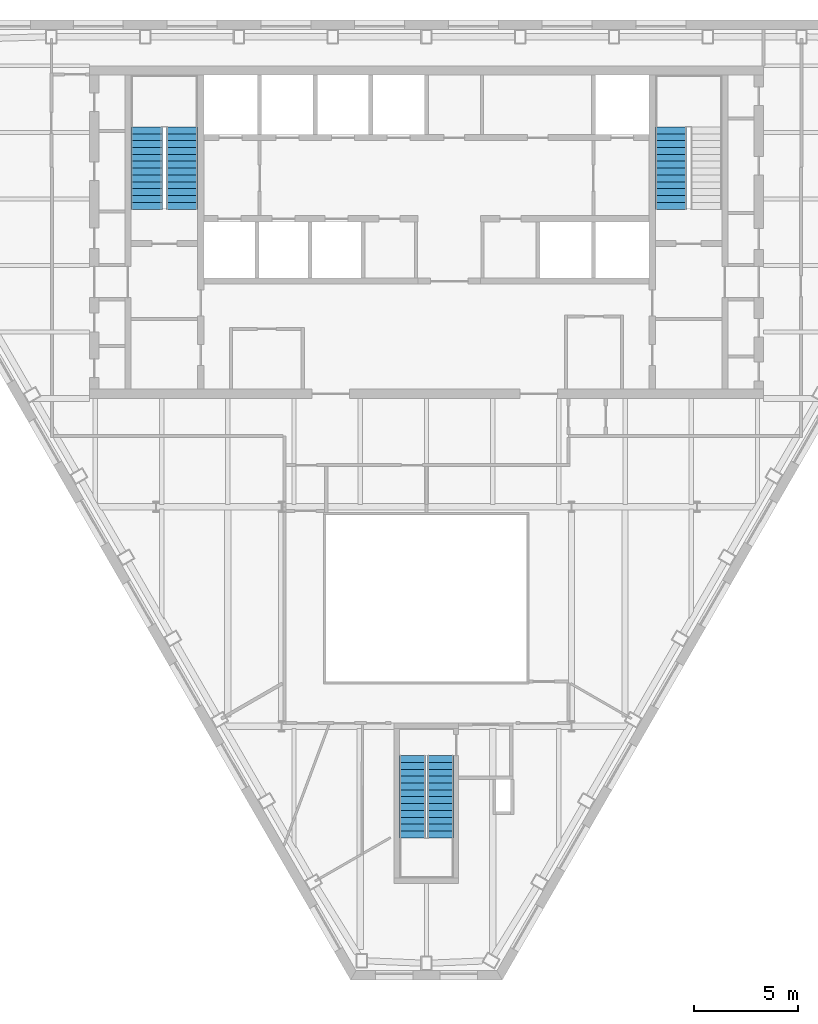
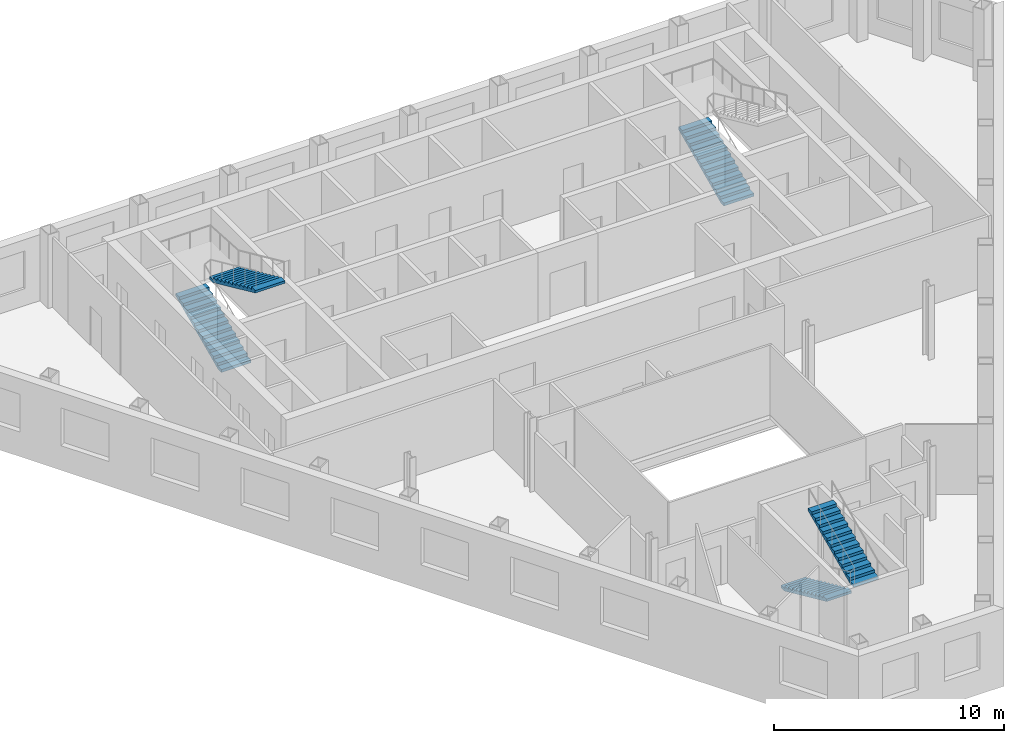
# One storey, part 9 of 11: 5 stair flights, 3 elements without a shape of their own.
"""IFC4 building model written with IfcOpenShell, lengths in metres."""

import ifcopenshell
import ifcopenshell.guid

model = None  # the IFC model being written
_history = None  # IfcOwnerHistory: only IFC2X3 demands one
_inside = {}  # id of a spatial element -> (the spatial element, [elements in it])
_under = {}  # id of a project, library or spatial element -> (it, [spatial elements below it])
_declared = {}  # id of a project -> (the project, [libraries it declares])
_typed = {}  # id of a type object -> (the type object, [elements of that type])
_made_of = {}  # id of a material, layer set ... -> (it, [elements and type objects made of it])


def new_model(schema):
    """Start an empty IFC model of exactly this schema.

    Asked for "IFC4X3", IfcOpenShell would pick the latest addendum, in which some entities
    have other attributes; the version numbers below select the first issue.
    IFC2X3 requires an IfcOwnerHistory on every rooted entity: one is made here for all.
    """
    global model, _history
    if schema == "IFC4X3":
        model = ifcopenshell.file(schema_version=(4, 3, 0, 0))
    else:
        model = ifcopenshell.file(schema=schema)
    _inside.clear()
    _under.clear()
    _declared.clear()
    _typed.clear()
    _made_of.clear()
    _history = None
    if model.schema == "IFC2X3":
        org = make("IfcOrganization", Name="unknown")
        user = make(
            "IfcPersonAndOrganization",
            ThePerson=make("IfcPerson", FamilyName="unknown"),
            TheOrganization=org,
        )
        app = make(
            "IfcApplication",
            ApplicationDeveloper=org,
            Version="unknown",
            ApplicationFullName="unknown",
            ApplicationIdentifier="unknown",
        )
        _history = make(
            "IfcOwnerHistory",
            OwningUser=user,
            OwningApplication=app,
            ChangeAction="ADDED",
            CreationDate=0,
        )
    return model


def make(cls, **values):
    """One entity of the class cls with the attributes given. An attribute that is None is left unset."""
    return model.create_entity(
        cls, **{name: value for name, value in values.items() if value is not None}
    )


def rooted(cls, **values):
    """An entity with a GlobalId (a new one), such as an element, a storey or a relation."""
    return make(cls, GlobalId=ifcopenshell.guid.new(), OwnerHistory=_history, **values)


def si_unit(unit_type, name, prefix=None):
    """IfcSIUnit, for example si_unit("LENGTHUNIT", "METRE", prefix="MILLI")."""
    return make("IfcSIUnit", UnitType=unit_type, Prefix=prefix, Name=name)


def assignment(units):
    """IfcUnitAssignment: the units of a project."""
    return None if units is None else make("IfcUnitAssignment", Units=units)


def point(xyz):
    """IfcCartesianPoint."""
    return None if xyz is None else make("IfcCartesianPoint", Coordinates=xyz)


def direction(xyz):
    """IfcDirection."""
    return None if xyz is None else make("IfcDirection", DirectionRatios=xyz)


def frame(location, z_axis=None, x_axis=None):
    """IfcAxis2Placement3D, a coordinate frame: its origin and axes. An axis left out is left unset."""
    return make(
        "IfcAxis2Placement3D",
        Location=point(location),
        Axis=direction(z_axis),
        RefDirection=direction(x_axis),
    )


def origin():
    """The frame at (0, 0, 0) with its axes left unset."""
    return frame((0.0, 0.0, 0.0))


def place(relative_to, where):
    """IfcLocalPlacement: puts the frame where relative to a parent placement (None: the world)."""
    return make(
        "IfcLocalPlacement", PlacementRelTo=relative_to, RelativePlacement=where
    )


def context(
    kind, dimensions, precision=None, world=None, true_north=None, identifier=None
):
    """IfcGeometricRepresentationContext, for example the 3D "Model" context."""
    return make(
        "IfcGeometricRepresentationContext",
        ContextIdentifier=identifier,
        ContextType=kind,
        CoordinateSpaceDimension=dimensions,
        Precision=precision,
        WorldCoordinateSystem=world,
        TrueNorth=true_north,
    )


def subcontext(parent, identifier, kind, view, scale=None):
    """IfcGeometricRepresentationSubContext, for example "Body" below "Model"."""
    return make(
        "IfcGeometricRepresentationSubContext",
        ContextIdentifier=identifier,
        ContextType=kind,
        ParentContext=parent,
        TargetScale=scale,
        TargetView=view,
    )


def project(units=None, contexts=None):
    """IfcProject with its units and contexts."""
    return rooted(
        "IfcProject",
        Name="project",
        RepresentationContexts=contexts,
        UnitsInContext=assignment(units),
    )


def spatial(cls, under=None, at=None, **own):
    """A site, building, storey or space (cls), placed at a placement, below another one or the project."""
    s = rooted(cls, ObjectPlacement=at, **own)
    if under is not None:
        _under.setdefault(under.id(), (under, []))[1].append(s)
    return s


def point_list(points):
    """IfcCartesianPointList2D or 3D."""
    cls = (
        "IfcCartesianPointList2D" if len(points[0]) == 2 else "IfcCartesianPointList3D"
    )
    return make(cls, CoordList=points)


def polygons(points, faces, closed=None, point_numbers=None):
    """IfcPolygonalFaceSet: a face is its outer loop, then its inner loops; points numbered from 1."""
    made = []
    for loops in faces:
        if len(loops) == 1:
            made.append(make("IfcIndexedPolygonalFace", CoordIndex=loops[0]))
        else:
            made.append(
                make(
                    "IfcIndexedPolygonalFaceWithVoids",
                    CoordIndex=loops[0],
                    InnerCoordIndices=loops[1:],
                )
            )
    return make(
        "IfcPolygonalFaceSet",
        Coordinates=point_list(points),
        Closed=closed,
        Faces=made,
        PnIndex=point_numbers,
    )


def shape(context_of_items, identifier, shape_type, items):
    """IfcShapeRepresentation: the items that make up one representation, for example the "Body"."""
    return make(
        "IfcShapeRepresentation",
        ContextOfItems=context_of_items,
        RepresentationIdentifier=identifier,
        RepresentationType=shape_type,
        Items=items,
    )


def material(Name=None, Category=None):
    """IfcMaterial."""
    return make("IfcMaterial", Name=Name, Category=Category)


def made_of(thing, what):
    """Note that an element or type object is made of a material, layer set ...; save() writes the relation."""
    if what is not None:
        _made_of.setdefault(what.id(), (what, []))[1].append(thing)
    return thing


def type_object(cls, material=None, **own):
    """A type object (cls), such as IfcWallType, which elements share."""
    return made_of(rooted(cls, **own), material)


def element(
    cls,
    number,
    at=None,
    inside=None,
    cuts=None,
    type_object=None,
    material=None,
    context=None,
    identifier="Body",
    shape_type=None,
    held_by="IfcProductDefinitionShape",
    body=None,
    shapes=None,
    **own,
):
    """One element of the class cls, such as IfcWall. Its Tag is "e" and its number.

    at: its placement. inside: the storey or other place that contains it. cuts: it is an
    opening in that element (IfcRelVoidsElement). A single representation is given by context,
    identifier, shape_type and body (its items); several are given by shapes. held_by: the class
    of the entity that holds the representations. save() writes the other relations.
    """
    e = rooted(cls, Tag="e%d" % number, ObjectPlacement=at, **own)
    if body is not None:
        shapes = [shape(context, identifier, shape_type, body)]
    if shapes is not None:
        e.Representation = make(held_by, Representations=shapes)
    if inside is not None:
        _inside.setdefault(inside.id(), (inside, []))[1].append(e)
    if cuts is not None:
        rooted(
            "IfcRelVoidsElement", RelatingBuildingElement=cuts, RelatedOpeningElement=e
        )
    if type_object is not None:
        _typed.setdefault(type_object.id(), (type_object, []))[1].append(e)
    return made_of(e, material)


def aggregate(whole, parts):
    """IfcRelAggregates: a whole, such as a stair, and the parts it consists of."""
    return rooted("IfcRelAggregates", RelatingObject=whole, RelatedObjects=parts)


def save(model, path):
    """Write the relations noted so far, then the file.

    IfcRelAggregates (storeys below a building ...), IfcRelContainedInSpatialStructure (elements
    in a storey), IfcRelDefinesByType, IfcRelAssociatesMaterial and IfcRelDeclares: one each for
    every whole, place, type object, material and project.
    """
    for whole, parts in _under.values():
        aggregate(whole, parts)
    for where, things in _inside.values():
        rooted(
            "IfcRelContainedInSpatialStructure",
            RelatedElements=things,
            RelatingStructure=where,
        )
    for kind, things in _typed.values():
        rooted("IfcRelDefinesByType", RelatedObjects=things, RelatingType=kind)
    for what, things in _made_of.values():
        rooted("IfcRelAssociatesMaterial", RelatedObjects=things, RelatingMaterial=what)
    for by, libraries in _declared.values():
        rooted("IfcRelDeclares", RelatingContext=by, RelatedDefinitions=libraries)
    model.write(path)


model = new_model("IFC4")

# Units and contexts
model_context = context("Model", 3, precision=1e-05, world=origin(), true_north=direction((0.0, 1.0)))
body_context = subcontext(model_context, "Body", "Model", "MODEL_VIEW")
ifc_project = project(units=[si_unit("LENGTHUNIT", "METRE"), si_unit("AREAUNIT", "SQUARE_METRE"), si_unit("VOLUMEUNIT", "CUBIC_METRE"), si_unit("PLANEANGLEUNIT", "RADIAN"), si_unit("MASSUNIT", "GRAM", prefix="KILO")], contexts=[model_context])

# Site, building, storey
site_placement = place(None, origin())
site = spatial("IfcSite", under=ifc_project, at=site_placement, CompositionType="ELEMENT")
building_placement = place(site_placement, origin())
building = spatial("IfcBuilding", under=site, at=building_placement, Name="Njiva Tower", CompositionType="ELEMENT")
storey_placement = place(building_placement, frame((0.0, 0.0, 212.1)))
storey = spatial("IfcBuildingStorey", under=building, at=storey_placement, Name="L47", CompositionType="ELEMENT", Elevation=212.1)

# Stair, stair flights
ifc_material = material(Name="Concrete C40/50", Category="concrete")
stair_type_1 = type_object("IfcStairType", Name="ST1 Exit stair 1250", PredefinedType="HALF_TURN_STAIR", material=ifc_material)
stair_1_placement = place(storey_placement, origin())
stair_1 = element("IfcStair", 1, at=stair_1_placement, inside=storey, type_object=stair_type_1, Name="Stair C", PredefinedType="HALF_TURN_STAIR")
stair_flight_type_1 = type_object("IfcStairFlightType", Name="FL1 Stair flight 1250", PredefinedType="STRAIGHT", material=ifc_material)
stair_flight_1_placement = place(storey_placement, frame((-0.675, -15.16, 0.0), z_axis=(0.0, 0.0, 1.0), x_axis=(0.0, -1.0, 0.0)))
stair_flight_1 = element("IfcStairFlight", 2, at=stair_flight_1_placement, type_object=stair_flight_type_1, Name="ST-C flight 1", NumberOfRisers=13, NumberOfTreads=12, PredefinedType="STRAIGHT", RiserHeight=0.15, TreadLength=0.33, context=body_context, shape_type="Tessellation", body=[
    polygons([(0.0, 0.625, 0.0), (0.0, 0.3125, 0.0), (0.0, 0.0, 0.0), (0.0, -0.3125, 0.0), (0.0, -0.625, 0.0), (0.0, 0.625, 0.15), (0.0, 0.3125, 0.15), (0.0, 0.0, 0.15), (0.0, -0.3125, 0.15), (0.0, -0.625, 0.15), (0.33, 0.625, 0.15), (0.33, 0.3125, 0.15), (0.33, 0.0, 0.15), (0.33, -0.3125, 0.15), (0.33, -0.625, 0.15), (0.33, 0.625, 0.3), (0.33, 0.3125, 0.3), (0.33, 0.0, 0.3), (0.33, -0.3125, 0.3), (0.33, -0.625, 0.3), (0.66, 0.625, 0.3), (0.66, 0.3125, 0.3), (0.66, 0.0, 0.3), (0.66, -0.3125, 0.3), (0.66, -0.625, 0.3), (0.66, 0.625, 0.45), (0.66, 0.3125, 0.45), (0.66, 0.0, 0.45), (0.66, -0.3125, 0.45), (0.66, -0.625, 0.45), (0.99, 0.625, 0.45), (0.99, 0.3125, 0.45), (0.99, 0.0, 0.45), (0.99, -0.3125, 0.45), (0.99, -0.625, 0.45), (0.99, 0.625, 0.6), (0.99, 0.3125, 0.6), (0.99, 0.0, 0.6), (0.99, -0.3125, 0.6), (0.99, -0.625, 0.6), (1.32, 0.625, 0.6), (1.32, 0.3125, 0.6), (1.32, 0.0, 0.6), (1.32, -0.3125, 0.6), (1.32, -0.625, 0.6), (1.32, 0.625, 0.75), (1.32, 0.3125, 0.75), (1.32, 0.0, 0.75), (1.32, -0.3125, 0.75), (1.32, -0.625, 0.75), (1.65, 0.625, 0.75), (1.65, 0.3125, 0.75), (1.65, 0.0, 0.75), (1.65, -0.3125, 0.75), (1.65, -0.625, 0.75), (1.65, 0.625, 0.9), (1.65, 0.3125, 0.9), (1.65, 0.0, 0.9), (1.65, -0.3125, 0.9), (1.65, -0.625, 0.9), (1.98, 0.625, 0.9), (1.98, 0.3125, 0.9), (1.98, 0.0, 0.9), (1.98, -0.3125, 0.9), (1.98, -0.625, 0.9), (1.98, 0.625, 1.05), (1.98, 0.3125, 1.05), (1.98, 0.0, 1.05), (1.98, -0.3125, 1.05), (1.98, -0.625, 1.05), (2.31, 0.625, 1.05), (2.31, 0.3125, 1.05), (2.31, 0.0, 1.05), (2.31, -0.3125, 1.05), (2.31, -0.625, 1.05), (2.31, 0.625, 1.2), (2.31, 0.3125, 1.2), (2.31, 0.0, 1.2), (2.31, -0.3125, 1.2), (2.31, -0.625, 1.2), (2.64, 0.625, 1.2), (2.64, 0.3125, 1.2), (2.64, 0.0, 1.2), (2.64, -0.3125, 1.2), (2.64, -0.625, 1.2), (2.64, 0.625, 1.35), (2.64, 0.3125, 1.35), (2.64, 0.0, 1.35), (2.64, -0.3125, 1.35), (2.64, -0.625, 1.35), (2.97, 0.625, 1.35), (2.97, 0.3125, 1.35), (2.97, 0.0, 1.35), (2.97, -0.3125, 1.35), (2.97, -0.625, 1.35), (2.97, 0.625, 1.5), (2.97, 0.3125, 1.5), (2.97, 0.0, 1.5), (2.97, -0.3125, 1.5), (2.97, -0.625, 1.5), (3.3, 0.625, 1.5), (3.3, 0.3125, 1.5), (3.3, 0.0, 1.5), (3.3, -0.3125, 1.5), (3.3, -0.625, 1.5), (3.3, 0.625, 1.65), (3.3, 0.3125, 1.65), (3.3, 0.0, 1.65), (3.3, -0.3125, 1.65), (3.3, -0.625, 1.65), (3.63, 0.625, 1.65), (3.63, 0.3125, 1.65), (3.63, 0.0, 1.65), (3.63, -0.3125, 1.65), (3.63, -0.625, 1.65), (3.63, 0.625, 1.8), (3.63, 0.3125, 1.8), (3.63, 0.0, 1.8), (3.63, -0.3125, 1.8), (3.63, -0.625, 1.8), (3.96, 0.625, 1.8), (3.96, 0.3125, 1.8), (3.96, 0.0, 1.8), (3.96, -0.3125, 1.8), (3.96, -0.625, 1.8), (3.96, 0.625, 1.6682), (3.96, 0.3125, 1.6682), (3.96, 0.0, 1.6682), (3.96, -0.3125, 1.6682), (3.96, -0.625, 1.6682), (0.29, 0.625, 0.0), (0.29, 0.3125, 0.0), (0.29, 0.0, 0.0), (0.29, -0.3125, 0.0), (0.29, -0.625, 0.0)], [[[1, 6, 11, 16, 21, 26, 31, 36, 41, 46, 51, 56, 61, 66, 71, 76, 81, 86, 91, 96, 101, 106, 111, 116, 121, 126, 131]], [[135, 130, 125, 120, 115, 110, 105, 100, 95, 90, 85, 80, 75, 70, 65, 60, 55, 50, 45, 40, 35, 30, 25, 20, 15, 10, 5]], [[6, 1, 2, 7]], [[7, 2, 3, 8]], [[8, 3, 4, 9]], [[9, 4, 5, 10]], [[11, 6, 7, 12]], [[12, 7, 8, 13]], [[13, 8, 9, 14]], [[14, 9, 10, 15]], [[16, 11, 12, 17]], [[17, 12, 13, 18]], [[18, 13, 14, 19]], [[19, 14, 15, 20]], [[21, 16, 17, 22]], [[22, 17, 18, 23]], [[23, 18, 19, 24]], [[24, 19, 20, 25]], [[26, 21, 22, 27]], [[27, 22, 23, 28]], [[28, 23, 24, 29]], [[29, 24, 25, 30]], [[31, 26, 27, 32]], [[32, 27, 28, 33]], [[33, 28, 29, 34]], [[34, 29, 30, 35]], [[36, 31, 32, 37]], [[37, 32, 33, 38]], [[38, 33, 34, 39]], [[39, 34, 35, 40]], [[41, 36, 37, 42]], [[42, 37, 38, 43]], [[43, 38, 39, 44]], [[44, 39, 40, 45]], [[46, 41, 42, 47]], [[47, 42, 43, 48]], [[48, 43, 44, 49]], [[49, 44, 45, 50]], [[51, 46, 47, 52]], [[52, 47, 48, 53]], [[53, 48, 49, 54]], [[54, 49, 50, 55]], [[56, 51, 52, 57]], [[57, 52, 53, 58]], [[58, 53, 54, 59]], [[59, 54, 55, 60]], [[61, 56, 57, 62]], [[62, 57, 58, 63]], [[63, 58, 59, 64]], [[64, 59, 60, 65]], [[66, 61, 62, 67]], [[67, 62, 63, 68]], [[68, 63, 64, 69]], [[69, 64, 65, 70]], [[71, 66, 67, 72]], [[72, 67, 68, 73]], [[73, 68, 69, 74]], [[74, 69, 70, 75]], [[76, 71, 72, 77]], [[77, 72, 73, 78]], [[78, 73, 74, 79]], [[79, 74, 75, 80]], [[81, 76, 77, 82]], [[82, 77, 78, 83]], [[83, 78, 79, 84]], [[84, 79, 80, 85]], [[86, 81, 82, 87]], [[87, 82, 83, 88]], [[88, 83, 84, 89]], [[89, 84, 85, 90]], [[91, 86, 87, 92]], [[92, 87, 88, 93]], [[93, 88, 89, 94]], [[94, 89, 90, 95]], [[96, 91, 92, 97]], [[97, 92, 93, 98]], [[98, 93, 94, 99]], [[99, 94, 95, 100]], [[101, 96, 97, 102]], [[102, 97, 98, 103]], [[103, 98, 99, 104]], [[104, 99, 100, 105]], [[106, 101, 102, 107]], [[107, 102, 103, 108]], [[108, 103, 104, 109]], [[109, 104, 105, 110]], [[111, 106, 107, 112]], [[112, 107, 108, 113]], [[113, 108, 109, 114]], [[114, 109, 110, 115]], [[116, 111, 112, 117]], [[117, 112, 113, 118]], [[118, 113, 114, 119]], [[119, 114, 115, 120]], [[121, 116, 117, 122]], [[122, 117, 118, 123]], [[123, 118, 119, 124]], [[124, 119, 120, 125]], [[126, 121, 122, 127]], [[127, 122, 123, 128]], [[128, 123, 124, 129]], [[129, 124, 125, 130]], [[131, 126, 127, 132]], [[132, 127, 128, 133]], [[133, 128, 129, 134]], [[134, 129, 130, 135]], [[1, 131, 132, 2]], [[2, 132, 133, 3]], [[3, 133, 134, 4]], [[4, 134, 135, 5]]], closed=True),
])
stair_flight_2_placement = place(storey_placement, frame((0.675, -19.12, 1.95), z_axis=(0.0, 0.0, 1.0), x_axis=(0.0, 1.0, 0.0)))
stair_flight_2 = element("IfcStairFlight", 3, at=stair_flight_2_placement, type_object=stair_flight_type_1, Name="ST-C flight 2", NumberOfRisers=13, NumberOfTreads=12, PredefinedType="STRAIGHT", RiserHeight=0.15, TreadLength=0.33, context=body_context, shape_type="Tessellation", body=[
    polygons([(0.0, 0.625, 0.0), (0.0, 0.3125, 0.0), (0.0, 0.0, 0.0), (0.0, -0.3125, 0.0), (0.0, -0.625, 0.0), (0.0, 0.625, 0.15), (0.0, 0.3125, 0.15), (0.0, 0.0, 0.15), (0.0, -0.3125, 0.15), (0.0, -0.625, 0.15), (0.33, 0.625, 0.15), (0.33, 0.3125, 0.15), (0.33, 0.0, 0.15), (0.33, -0.3125, 0.15), (0.33, -0.625, 0.15), (0.33, 0.625, 0.3), (0.33, 0.3125, 0.3), (0.33, 0.0, 0.3), (0.33, -0.3125, 0.3), (0.33, -0.625, 0.3), (0.66, 0.625, 0.3), (0.66, 0.3125, 0.3), (0.66, 0.0, 0.3), (0.66, -0.3125, 0.3), (0.66, -0.625, 0.3), (0.66, 0.625, 0.45), (0.66, 0.3125, 0.45), (0.66, 0.0, 0.45), (0.66, -0.3125, 0.45), (0.66, -0.625, 0.45), (0.99, 0.625, 0.45), (0.99, 0.3125, 0.45), (0.99, 0.0, 0.45), (0.99, -0.3125, 0.45), (0.99, -0.625, 0.45), (0.99, 0.625, 0.6), (0.99, 0.3125, 0.6), (0.99, 0.0, 0.6), (0.99, -0.3125, 0.6), (0.99, -0.625, 0.6), (1.32, 0.625, 0.6), (1.32, 0.3125, 0.6), (1.32, 0.0, 0.6), (1.32, -0.3125, 0.6), (1.32, -0.625, 0.6), (1.32, 0.625, 0.75), (1.32, 0.3125, 0.75), (1.32, 0.0, 0.75), (1.32, -0.3125, 0.75), (1.32, -0.625, 0.75), (1.65, 0.625, 0.75), (1.65, 0.3125, 0.75), (1.65, 0.0, 0.75), (1.65, -0.3125, 0.75), (1.65, -0.625, 0.75), (1.65, 0.625, 0.9), (1.65, 0.3125, 0.9), (1.65, 0.0, 0.9), (1.65, -0.3125, 0.9), (1.65, -0.625, 0.9), (1.98, 0.625, 0.9), (1.98, 0.3125, 0.9), (1.98, 0.0, 0.9), (1.98, -0.3125, 0.9), (1.98, -0.625, 0.9), (1.98, 0.625, 1.05), (1.98, 0.3125, 1.05), (1.98, 0.0, 1.05), (1.98, -0.3125, 1.05), (1.98, -0.625, 1.05), (2.31, 0.625, 1.05), (2.31, 0.3125, 1.05), (2.31, 0.0, 1.05), (2.31, -0.3125, 1.05), (2.31, -0.625, 1.05), (2.31, 0.625, 1.2), (2.31, 0.3125, 1.2), (2.31, 0.0, 1.2), (2.31, -0.3125, 1.2), (2.31, -0.625, 1.2), (2.64, 0.625, 1.2), (2.64, 0.3125, 1.2), (2.64, 0.0, 1.2), (2.64, -0.3125, 1.2), (2.64, -0.625, 1.2), (2.64, 0.625, 1.35), (2.64, 0.3125, 1.35), (2.64, 0.0, 1.35), (2.64, -0.3125, 1.35), (2.64, -0.625, 1.35), (2.97, 0.625, 1.35), (2.97, 0.3125, 1.35), (2.97, 0.0, 1.35), (2.97, -0.3125, 1.35), (2.97, -0.625, 1.35), (2.97, 0.625, 1.5), (2.97, 0.3125, 1.5), (2.97, 0.0, 1.5), (2.97, -0.3125, 1.5), (2.97, -0.625, 1.5), (3.3, 0.625, 1.5), (3.3, 0.3125, 1.5), (3.3, 0.0, 1.5), (3.3, -0.3125, 1.5), (3.3, -0.625, 1.5), (3.3, 0.625, 1.65), (3.3, 0.3125, 1.65), (3.3, 0.0, 1.65), (3.3, -0.3125, 1.65), (3.3, -0.625, 1.65), (3.63, 0.625, 1.65), (3.63, 0.3125, 1.65), (3.63, 0.0, 1.65), (3.63, -0.3125, 1.65), (3.63, -0.625, 1.65), (3.63, 0.625, 1.8), (3.63, 0.3125, 1.8), (3.63, 0.0, 1.8), (3.63, -0.3125, 1.8), (3.63, -0.625, 1.8), (3.96, 0.625, 1.8), (3.96, 0.3125, 1.8), (3.96, 0.0, 1.8), (3.96, -0.3125, 1.8), (3.96, -0.625, 1.8), (3.96, 0.625, 1.6682), (3.96, 0.3125, 1.6682), (3.96, 0.0, 1.6682), (3.96, -0.3125, 1.6682), (3.96, -0.625, 1.6682), (0.29, 0.625, 0.0), (0.29, 0.3125, 0.0), (0.29, 0.0, 0.0), (0.29, -0.3125, 0.0), (0.29, -0.625, 0.0)], [[[1, 6, 11, 16, 21, 26, 31, 36, 41, 46, 51, 56, 61, 66, 71, 76, 81, 86, 91, 96, 101, 106, 111, 116, 121, 126, 131]], [[135, 130, 125, 120, 115, 110, 105, 100, 95, 90, 85, 80, 75, 70, 65, 60, 55, 50, 45, 40, 35, 30, 25, 20, 15, 10, 5]], [[6, 1, 2, 7]], [[7, 2, 3, 8]], [[8, 3, 4, 9]], [[9, 4, 5, 10]], [[11, 6, 7, 12]], [[12, 7, 8, 13]], [[13, 8, 9, 14]], [[14, 9, 10, 15]], [[16, 11, 12, 17]], [[17, 12, 13, 18]], [[18, 13, 14, 19]], [[19, 14, 15, 20]], [[21, 16, 17, 22]], [[22, 17, 18, 23]], [[23, 18, 19, 24]], [[24, 19, 20, 25]], [[26, 21, 22, 27]], [[27, 22, 23, 28]], [[28, 23, 24, 29]], [[29, 24, 25, 30]], [[31, 26, 27, 32]], [[32, 27, 28, 33]], [[33, 28, 29, 34]], [[34, 29, 30, 35]], [[36, 31, 32, 37]], [[37, 32, 33, 38]], [[38, 33, 34, 39]], [[39, 34, 35, 40]], [[41, 36, 37, 42]], [[42, 37, 38, 43]], [[43, 38, 39, 44]], [[44, 39, 40, 45]], [[46, 41, 42, 47]], [[47, 42, 43, 48]], [[48, 43, 44, 49]], [[49, 44, 45, 50]], [[51, 46, 47, 52]], [[52, 47, 48, 53]], [[53, 48, 49, 54]], [[54, 49, 50, 55]], [[56, 51, 52, 57]], [[57, 52, 53, 58]], [[58, 53, 54, 59]], [[59, 54, 55, 60]], [[61, 56, 57, 62]], [[62, 57, 58, 63]], [[63, 58, 59, 64]], [[64, 59, 60, 65]], [[66, 61, 62, 67]], [[67, 62, 63, 68]], [[68, 63, 64, 69]], [[69, 64, 65, 70]], [[71, 66, 67, 72]], [[72, 67, 68, 73]], [[73, 68, 69, 74]], [[74, 69, 70, 75]], [[76, 71, 72, 77]], [[77, 72, 73, 78]], [[78, 73, 74, 79]], [[79, 74, 75, 80]], [[81, 76, 77, 82]], [[82, 77, 78, 83]], [[83, 78, 79, 84]], [[84, 79, 80, 85]], [[86, 81, 82, 87]], [[87, 82, 83, 88]], [[88, 83, 84, 89]], [[89, 84, 85, 90]], [[91, 86, 87, 92]], [[92, 87, 88, 93]], [[93, 88, 89, 94]], [[94, 89, 90, 95]], [[96, 91, 92, 97]], [[97, 92, 93, 98]], [[98, 93, 94, 99]], [[99, 94, 95, 100]], [[101, 96, 97, 102]], [[102, 97, 98, 103]], [[103, 98, 99, 104]], [[104, 99, 100, 105]], [[106, 101, 102, 107]], [[107, 102, 103, 108]], [[108, 103, 104, 109]], [[109, 104, 105, 110]], [[111, 106, 107, 112]], [[112, 107, 108, 113]], [[113, 108, 109, 114]], [[114, 109, 110, 115]], [[116, 111, 112, 117]], [[117, 112, 113, 118]], [[118, 113, 114, 119]], [[119, 114, 115, 120]], [[121, 116, 117, 122]], [[122, 117, 118, 123]], [[123, 118, 119, 124]], [[124, 119, 120, 125]], [[126, 121, 122, 127]], [[127, 122, 123, 128]], [[128, 123, 124, 129]], [[129, 124, 125, 130]], [[131, 126, 127, 132]], [[132, 127, 128, 133]], [[133, 128, 129, 134]], [[134, 129, 130, 135]], [[1, 131, 132, 2]], [[2, 132, 133, 3]], [[3, 133, 134, 4]], [[4, 134, 135, 5]]], closed=True),
])
aggregate(stair_1, [stair_flight_1, stair_flight_2])

stair_type_2 = type_object("IfcStairType", Name="ST4 Exit stair 1500", PredefinedType="HALF_TURN_STAIR", material=ifc_material)
stair_2_placement = place(storey_placement, origin())
stair_2 = element("IfcStair", 4, at=stair_2_placement, inside=storey, type_object=stair_type_2, Name="Stair A", PredefinedType="HALF_TURN_STAIR")
stair_flight_type_2 = type_object("IfcStairFlightType", Name="FL4 Stair flight 1500", PredefinedType="STRAIGHT", material=ifc_material)
stair_flight_3_placement = place(storey_placement, frame((-13.45, 11.1, 0.0), z_axis=(0.0, 0.0, 1.0), x_axis=(0.0, 1.0, 0.0)))
stair_flight_3 = element("IfcStairFlight", 5, at=stair_flight_3_placement, type_object=stair_flight_type_2, Name="ST-A flight 1", NumberOfRisers=13, NumberOfTreads=12, PredefinedType="STRAIGHT", RiserHeight=0.15, TreadLength=0.33, context=body_context, shape_type="Tessellation", body=[
    polygons([(0.0, 0.75, 0.0), (0.0, 0.375, 0.0), (0.0, 0.0, 0.0), (0.0, -0.375, 0.0), (0.0, -0.75, 0.0), (0.0, 0.75, 0.15), (0.0, 0.375, 0.15), (0.0, 0.0, 0.15), (0.0, -0.375, 0.15), (0.0, -0.75, 0.15), (0.33, 0.75, 0.15), (0.33, 0.375, 0.15), (0.33, 0.0, 0.15), (0.33, -0.375, 0.15), (0.33, -0.75, 0.15), (0.33, 0.75, 0.3), (0.33, 0.375, 0.3), (0.33, 0.0, 0.3), (0.33, -0.375, 0.3), (0.33, -0.75, 0.3), (0.66, 0.75, 0.3), (0.66, 0.375, 0.3), (0.66, 0.0, 0.3), (0.66, -0.375, 0.3), (0.66, -0.75, 0.3), (0.66, 0.75, 0.45), (0.66, 0.375, 0.45), (0.66, 0.0, 0.45), (0.66, -0.375, 0.45), (0.66, -0.75, 0.45), (0.99, 0.75, 0.45), (0.99, 0.375, 0.45), (0.99, 0.0, 0.45), (0.99, -0.375, 0.45), (0.99, -0.75, 0.45), (0.99, 0.75, 0.6), (0.99, 0.375, 0.6), (0.99, 0.0, 0.6), (0.99, -0.375, 0.6), (0.99, -0.75, 0.6), (1.32, 0.75, 0.6), (1.32, 0.375, 0.6), (1.32, 0.0, 0.6), (1.32, -0.375, 0.6), (1.32, -0.75, 0.6), (1.32, 0.75, 0.75), (1.32, 0.375, 0.75), (1.32, 0.0, 0.75), (1.32, -0.375, 0.75), (1.32, -0.75, 0.75), (1.65, 0.75, 0.75), (1.65, 0.375, 0.75), (1.65, 0.0, 0.75), (1.65, -0.375, 0.75), (1.65, -0.75, 0.75), (1.65, 0.75, 0.9), (1.65, 0.375, 0.9), (1.65, 0.0, 0.9), (1.65, -0.375, 0.9), (1.65, -0.75, 0.9), (1.98, 0.75, 0.9), (1.98, 0.375, 0.9), (1.98, 0.0, 0.9), (1.98, -0.375, 0.9), (1.98, -0.75, 0.9), (1.98, 0.75, 1.05), (1.98, 0.375, 1.05), (1.98, 0.0, 1.05), (1.98, -0.375, 1.05), (1.98, -0.75, 1.05), (2.31, 0.75, 1.05), (2.31, 0.375, 1.05), (2.31, 0.0, 1.05), (2.31, -0.375, 1.05), (2.31, -0.75, 1.05), (2.31, 0.75, 1.2), (2.31, 0.375, 1.2), (2.31, 0.0, 1.2), (2.31, -0.375, 1.2), (2.31, -0.75, 1.2), (2.64, 0.75, 1.2), (2.64, 0.375, 1.2), (2.64, 0.0, 1.2), (2.64, -0.375, 1.2), (2.64, -0.75, 1.2), (2.64, 0.75, 1.35), (2.64, 0.375, 1.35), (2.64, 0.0, 1.35), (2.64, -0.375, 1.35), (2.64, -0.75, 1.35), (2.97, 0.75, 1.35), (2.97, 0.375, 1.35), (2.97, 0.0, 1.35), (2.97, -0.375, 1.35), (2.97, -0.75, 1.35), (2.97, 0.75, 1.5), (2.97, 0.375, 1.5), (2.97, 0.0, 1.5), (2.97, -0.375, 1.5), (2.97, -0.75, 1.5), (3.3, 0.75, 1.5), (3.3, 0.375, 1.5), (3.3, 0.0, 1.5), (3.3, -0.375, 1.5), (3.3, -0.75, 1.5), (3.3, 0.75, 1.65), (3.3, 0.375, 1.65), (3.3, 0.0, 1.65), (3.3, -0.375, 1.65), (3.3, -0.75, 1.65), (3.63, 0.75, 1.65), (3.63, 0.375, 1.65), (3.63, 0.0, 1.65), (3.63, -0.375, 1.65), (3.63, -0.75, 1.65), (3.63, 0.75, 1.8), (3.63, 0.375, 1.8), (3.63, 0.0, 1.8), (3.63, -0.375, 1.8), (3.63, -0.75, 1.8), (3.96, 0.75, 1.8), (3.96, 0.375, 1.8), (3.96, 0.0, 1.8), (3.96, -0.375, 1.8), (3.96, -0.75, 1.8), (3.96, 0.75, 1.6682), (3.96, 0.375, 1.6682), (3.96, 0.0, 1.6682), (3.96, -0.375, 1.6682), (3.96, -0.75, 1.6682), (0.29, 0.75, 0.0), (0.29, 0.375, 0.0), (0.29, 0.0, 0.0), (0.29, -0.375, 0.0), (0.29, -0.75, 0.0)], [[[1, 6, 11, 16, 21, 26, 31, 36, 41, 46, 51, 56, 61, 66, 71, 76, 81, 86, 91, 96, 101, 106, 111, 116, 121, 126, 131]], [[135, 130, 125, 120, 115, 110, 105, 100, 95, 90, 85, 80, 75, 70, 65, 60, 55, 50, 45, 40, 35, 30, 25, 20, 15, 10, 5]], [[6, 1, 2, 7]], [[7, 2, 3, 8]], [[8, 3, 4, 9]], [[9, 4, 5, 10]], [[11, 6, 7, 12]], [[12, 7, 8, 13]], [[13, 8, 9, 14]], [[14, 9, 10, 15]], [[16, 11, 12, 17]], [[17, 12, 13, 18]], [[18, 13, 14, 19]], [[19, 14, 15, 20]], [[21, 16, 17, 22]], [[22, 17, 18, 23]], [[23, 18, 19, 24]], [[24, 19, 20, 25]], [[26, 21, 22, 27]], [[27, 22, 23, 28]], [[28, 23, 24, 29]], [[29, 24, 25, 30]], [[31, 26, 27, 32]], [[32, 27, 28, 33]], [[33, 28, 29, 34]], [[34, 29, 30, 35]], [[36, 31, 32, 37]], [[37, 32, 33, 38]], [[38, 33, 34, 39]], [[39, 34, 35, 40]], [[41, 36, 37, 42]], [[42, 37, 38, 43]], [[43, 38, 39, 44]], [[44, 39, 40, 45]], [[46, 41, 42, 47]], [[47, 42, 43, 48]], [[48, 43, 44, 49]], [[49, 44, 45, 50]], [[51, 46, 47, 52]], [[52, 47, 48, 53]], [[53, 48, 49, 54]], [[54, 49, 50, 55]], [[56, 51, 52, 57]], [[57, 52, 53, 58]], [[58, 53, 54, 59]], [[59, 54, 55, 60]], [[61, 56, 57, 62]], [[62, 57, 58, 63]], [[63, 58, 59, 64]], [[64, 59, 60, 65]], [[66, 61, 62, 67]], [[67, 62, 63, 68]], [[68, 63, 64, 69]], [[69, 64, 65, 70]], [[71, 66, 67, 72]], [[72, 67, 68, 73]], [[73, 68, 69, 74]], [[74, 69, 70, 75]], [[76, 71, 72, 77]], [[77, 72, 73, 78]], [[78, 73, 74, 79]], [[79, 74, 75, 80]], [[81, 76, 77, 82]], [[82, 77, 78, 83]], [[83, 78, 79, 84]], [[84, 79, 80, 85]], [[86, 81, 82, 87]], [[87, 82, 83, 88]], [[88, 83, 84, 89]], [[89, 84, 85, 90]], [[91, 86, 87, 92]], [[92, 87, 88, 93]], [[93, 88, 89, 94]], [[94, 89, 90, 95]], [[96, 91, 92, 97]], [[97, 92, 93, 98]], [[98, 93, 94, 99]], [[99, 94, 95, 100]], [[101, 96, 97, 102]], [[102, 97, 98, 103]], [[103, 98, 99, 104]], [[104, 99, 100, 105]], [[106, 101, 102, 107]], [[107, 102, 103, 108]], [[108, 103, 104, 109]], [[109, 104, 105, 110]], [[111, 106, 107, 112]], [[112, 107, 108, 113]], [[113, 108, 109, 114]], [[114, 109, 110, 115]], [[116, 111, 112, 117]], [[117, 112, 113, 118]], [[118, 113, 114, 119]], [[119, 114, 115, 120]], [[121, 116, 117, 122]], [[122, 117, 118, 123]], [[123, 118, 119, 124]], [[124, 119, 120, 125]], [[126, 121, 122, 127]], [[127, 122, 123, 128]], [[128, 123, 124, 129]], [[129, 124, 125, 130]], [[131, 126, 127, 132]], [[132, 127, 128, 133]], [[133, 128, 129, 134]], [[134, 129, 130, 135]], [[1, 131, 132, 2]], [[2, 132, 133, 3]], [[3, 133, 134, 4]], [[4, 134, 135, 5]]], closed=True),
])
stair_flight_4_placement = place(storey_placement, frame((-11.75, 15.06, 1.95), z_axis=(0.0, 0.0, 1.0), x_axis=(0.0, -1.0, 0.0)))
stair_flight_4 = element("IfcStairFlight", 6, at=stair_flight_4_placement, type_object=stair_flight_type_2, Name="ST-A flight 2", NumberOfRisers=13, NumberOfTreads=12, PredefinedType="STRAIGHT", RiserHeight=0.15, TreadLength=0.33, context=body_context, shape_type="Tessellation", body=[
    polygons([(0.0, 0.75, 0.0), (0.0, 0.375, 0.0), (0.0, 0.0, 0.0), (0.0, -0.375, 0.0), (0.0, -0.75, 0.0), (0.0, 0.75, 0.15), (0.0, 0.375, 0.15), (0.0, 0.0, 0.15), (0.0, -0.375, 0.15), (0.0, -0.75, 0.15), (0.33, 0.75, 0.15), (0.33, 0.375, 0.15), (0.33, 0.0, 0.15), (0.33, -0.375, 0.15), (0.33, -0.75, 0.15), (0.33, 0.75, 0.3), (0.33, 0.375, 0.3), (0.33, 0.0, 0.3), (0.33, -0.375, 0.3), (0.33, -0.75, 0.3), (0.66, 0.75, 0.3), (0.66, 0.375, 0.3), (0.66, 0.0, 0.3), (0.66, -0.375, 0.3), (0.66, -0.75, 0.3), (0.66, 0.75, 0.45), (0.66, 0.375, 0.45), (0.66, 0.0, 0.45), (0.66, -0.375, 0.45), (0.66, -0.75, 0.45), (0.99, 0.75, 0.45), (0.99, 0.375, 0.45), (0.99, 0.0, 0.45), (0.99, -0.375, 0.45), (0.99, -0.75, 0.45), (0.99, 0.75, 0.6), (0.99, 0.375, 0.6), (0.99, 0.0, 0.6), (0.99, -0.375, 0.6), (0.99, -0.75, 0.6), (1.32, 0.75, 0.6), (1.32, 0.375, 0.6), (1.32, 0.0, 0.6), (1.32, -0.375, 0.6), (1.32, -0.75, 0.6), (1.32, 0.75, 0.75), (1.32, 0.375, 0.75), (1.32, 0.0, 0.75), (1.32, -0.375, 0.75), (1.32, -0.75, 0.75), (1.65, 0.75, 0.75), (1.65, 0.375, 0.75), (1.65, 0.0, 0.75), (1.65, -0.375, 0.75), (1.65, -0.75, 0.75), (1.65, 0.75, 0.9), (1.65, 0.375, 0.9), (1.65, 0.0, 0.9), (1.65, -0.375, 0.9), (1.65, -0.75, 0.9), (1.98, 0.75, 0.9), (1.98, 0.375, 0.9), (1.98, 0.0, 0.9), (1.98, -0.375, 0.9), (1.98, -0.75, 0.9), (1.98, 0.75, 1.05), (1.98, 0.375, 1.05), (1.98, 0.0, 1.05), (1.98, -0.375, 1.05), (1.98, -0.75, 1.05), (2.31, 0.75, 1.05), (2.31, 0.375, 1.05), (2.31, 0.0, 1.05), (2.31, -0.375, 1.05), (2.31, -0.75, 1.05), (2.31, 0.75, 1.2), (2.31, 0.375, 1.2), (2.31, 0.0, 1.2), (2.31, -0.375, 1.2), (2.31, -0.75, 1.2), (2.64, 0.75, 1.2), (2.64, 0.375, 1.2), (2.64, 0.0, 1.2), (2.64, -0.375, 1.2), (2.64, -0.75, 1.2), (2.64, 0.75, 1.35), (2.64, 0.375, 1.35), (2.64, 0.0, 1.35), (2.64, -0.375, 1.35), (2.64, -0.75, 1.35), (2.97, 0.75, 1.35), (2.97, 0.375, 1.35), (2.97, 0.0, 1.35), (2.97, -0.375, 1.35), (2.97, -0.75, 1.35), (2.97, 0.75, 1.5), (2.97, 0.375, 1.5), (2.97, 0.0, 1.5), (2.97, -0.375, 1.5), (2.97, -0.75, 1.5), (3.3, 0.75, 1.5), (3.3, 0.375, 1.5), (3.3, 0.0, 1.5), (3.3, -0.375, 1.5), (3.3, -0.75, 1.5), (3.3, 0.75, 1.65), (3.3, 0.375, 1.65), (3.3, 0.0, 1.65), (3.3, -0.375, 1.65), (3.3, -0.75, 1.65), (3.63, 0.75, 1.65), (3.63, 0.375, 1.65), (3.63, 0.0, 1.65), (3.63, -0.375, 1.65), (3.63, -0.75, 1.65), (3.63, 0.75, 1.8), (3.63, 0.375, 1.8), (3.63, 0.0, 1.8), (3.63, -0.375, 1.8), (3.63, -0.75, 1.8), (3.96, 0.75, 1.8), (3.96, 0.375, 1.8), (3.96, 0.0, 1.8), (3.96, -0.375, 1.8), (3.96, -0.75, 1.8), (3.96, 0.75, 1.6682), (3.96, 0.375, 1.6682), (3.96, 0.0, 1.6682), (3.96, -0.375, 1.6682), (3.96, -0.75, 1.6682), (0.29, 0.75, 0.0), (0.29, 0.375, 0.0), (0.29, 0.0, 0.0), (0.29, -0.375, 0.0), (0.29, -0.75, 0.0)], [[[1, 6, 11, 16, 21, 26, 31, 36, 41, 46, 51, 56, 61, 66, 71, 76, 81, 86, 91, 96, 101, 106, 111, 116, 121, 126, 131]], [[135, 130, 125, 120, 115, 110, 105, 100, 95, 90, 85, 80, 75, 70, 65, 60, 55, 50, 45, 40, 35, 30, 25, 20, 15, 10, 5]], [[6, 1, 2, 7]], [[7, 2, 3, 8]], [[8, 3, 4, 9]], [[9, 4, 5, 10]], [[11, 6, 7, 12]], [[12, 7, 8, 13]], [[13, 8, 9, 14]], [[14, 9, 10, 15]], [[16, 11, 12, 17]], [[17, 12, 13, 18]], [[18, 13, 14, 19]], [[19, 14, 15, 20]], [[21, 16, 17, 22]], [[22, 17, 18, 23]], [[23, 18, 19, 24]], [[24, 19, 20, 25]], [[26, 21, 22, 27]], [[27, 22, 23, 28]], [[28, 23, 24, 29]], [[29, 24, 25, 30]], [[31, 26, 27, 32]], [[32, 27, 28, 33]], [[33, 28, 29, 34]], [[34, 29, 30, 35]], [[36, 31, 32, 37]], [[37, 32, 33, 38]], [[38, 33, 34, 39]], [[39, 34, 35, 40]], [[41, 36, 37, 42]], [[42, 37, 38, 43]], [[43, 38, 39, 44]], [[44, 39, 40, 45]], [[46, 41, 42, 47]], [[47, 42, 43, 48]], [[48, 43, 44, 49]], [[49, 44, 45, 50]], [[51, 46, 47, 52]], [[52, 47, 48, 53]], [[53, 48, 49, 54]], [[54, 49, 50, 55]], [[56, 51, 52, 57]], [[57, 52, 53, 58]], [[58, 53, 54, 59]], [[59, 54, 55, 60]], [[61, 56, 57, 62]], [[62, 57, 58, 63]], [[63, 58, 59, 64]], [[64, 59, 60, 65]], [[66, 61, 62, 67]], [[67, 62, 63, 68]], [[68, 63, 64, 69]], [[69, 64, 65, 70]], [[71, 66, 67, 72]], [[72, 67, 68, 73]], [[73, 68, 69, 74]], [[74, 69, 70, 75]], [[76, 71, 72, 77]], [[77, 72, 73, 78]], [[78, 73, 74, 79]], [[79, 74, 75, 80]], [[81, 76, 77, 82]], [[82, 77, 78, 83]], [[83, 78, 79, 84]], [[84, 79, 80, 85]], [[86, 81, 82, 87]], [[87, 82, 83, 88]], [[88, 83, 84, 89]], [[89, 84, 85, 90]], [[91, 86, 87, 92]], [[92, 87, 88, 93]], [[93, 88, 89, 94]], [[94, 89, 90, 95]], [[96, 91, 92, 97]], [[97, 92, 93, 98]], [[98, 93, 94, 99]], [[99, 94, 95, 100]], [[101, 96, 97, 102]], [[102, 97, 98, 103]], [[103, 98, 99, 104]], [[104, 99, 100, 105]], [[106, 101, 102, 107]], [[107, 102, 103, 108]], [[108, 103, 104, 109]], [[109, 104, 105, 110]], [[111, 106, 107, 112]], [[112, 107, 108, 113]], [[113, 108, 109, 114]], [[114, 109, 110, 115]], [[116, 111, 112, 117]], [[117, 112, 113, 118]], [[118, 113, 114, 119]], [[119, 114, 115, 120]], [[121, 116, 117, 122]], [[122, 117, 118, 123]], [[123, 118, 119, 124]], [[124, 119, 120, 125]], [[126, 121, 122, 127]], [[127, 122, 123, 128]], [[128, 123, 124, 129]], [[129, 124, 125, 130]], [[131, 126, 127, 132]], [[132, 127, 128, 133]], [[133, 128, 129, 134]], [[134, 129, 130, 135]], [[1, 131, 132, 2]], [[2, 132, 133, 3]], [[3, 133, 134, 4]], [[4, 134, 135, 5]]], closed=True),
])
aggregate(stair_2, [stair_flight_3, stair_flight_4])

# Stair, stair flight
stair_3_placement = place(storey_placement, origin())
stair_3 = element("IfcStair", 7, at=stair_3_placement, inside=storey, type_object=stair_type_2, Name="Stair B", PredefinedType="HALF_TURN_STAIR")
stair_flight_5_placement = place(storey_placement, frame((11.75, 11.1, 0.0), z_axis=(0.0, 0.0, 1.0), x_axis=(0.0, 1.0, 0.0)))
stair_flight_5 = element("IfcStairFlight", 8, at=stair_flight_5_placement, type_object=stair_flight_type_2, Name="ST-B flight 1", NumberOfRisers=13, NumberOfTreads=12, PredefinedType="STRAIGHT", RiserHeight=0.15, TreadLength=0.33, context=body_context, shape_type="Tessellation", body=[
    polygons([(0.0, 0.75, 0.0), (0.0, 0.375, 0.0), (0.0, 0.0, 0.0), (0.0, -0.375, 0.0), (0.0, -0.75, 0.0), (0.0, 0.75, 0.15), (0.0, 0.375, 0.15), (0.0, 0.0, 0.15), (0.0, -0.375, 0.15), (0.0, -0.75, 0.15), (0.33, 0.75, 0.15), (0.33, 0.375, 0.15), (0.33, 0.0, 0.15), (0.33, -0.375, 0.15), (0.33, -0.75, 0.15), (0.33, 0.75, 0.3), (0.33, 0.375, 0.3), (0.33, 0.0, 0.3), (0.33, -0.375, 0.3), (0.33, -0.75, 0.3), (0.66, 0.75, 0.3), (0.66, 0.375, 0.3), (0.66, 0.0, 0.3), (0.66, -0.375, 0.3), (0.66, -0.75, 0.3), (0.66, 0.75, 0.45), (0.66, 0.375, 0.45), (0.66, 0.0, 0.45), (0.66, -0.375, 0.45), (0.66, -0.75, 0.45), (0.99, 0.75, 0.45), (0.99, 0.375, 0.45), (0.99, 0.0, 0.45), (0.99, -0.375, 0.45), (0.99, -0.75, 0.45), (0.99, 0.75, 0.6), (0.99, 0.375, 0.6), (0.99, 0.0, 0.6), (0.99, -0.375, 0.6), (0.99, -0.75, 0.6), (1.32, 0.75, 0.6), (1.32, 0.375, 0.6), (1.32, 0.0, 0.6), (1.32, -0.375, 0.6), (1.32, -0.75, 0.6), (1.32, 0.75, 0.75), (1.32, 0.375, 0.75), (1.32, 0.0, 0.75), (1.32, -0.375, 0.75), (1.32, -0.75, 0.75), (1.65, 0.75, 0.75), (1.65, 0.375, 0.75), (1.65, 0.0, 0.75), (1.65, -0.375, 0.75), (1.65, -0.75, 0.75), (1.65, 0.75, 0.9), (1.65, 0.375, 0.9), (1.65, 0.0, 0.9), (1.65, -0.375, 0.9), (1.65, -0.75, 0.9), (1.98, 0.75, 0.9), (1.98, 0.375, 0.9), (1.98, 0.0, 0.9), (1.98, -0.375, 0.9), (1.98, -0.75, 0.9), (1.98, 0.75, 1.05), (1.98, 0.375, 1.05), (1.98, 0.0, 1.05), (1.98, -0.375, 1.05), (1.98, -0.75, 1.05), (2.31, 0.75, 1.05), (2.31, 0.375, 1.05), (2.31, 0.0, 1.05), (2.31, -0.375, 1.05), (2.31, -0.75, 1.05), (2.31, 0.75, 1.2), (2.31, 0.375, 1.2), (2.31, 0.0, 1.2), (2.31, -0.375, 1.2), (2.31, -0.75, 1.2), (2.64, 0.75, 1.2), (2.64, 0.375, 1.2), (2.64, 0.0, 1.2), (2.64, -0.375, 1.2), (2.64, -0.75, 1.2), (2.64, 0.75, 1.35), (2.64, 0.375, 1.35), (2.64, 0.0, 1.35), (2.64, -0.375, 1.35), (2.64, -0.75, 1.35), (2.97, 0.75, 1.35), (2.97, 0.375, 1.35), (2.97, 0.0, 1.35), (2.97, -0.375, 1.35), (2.97, -0.75, 1.35), (2.97, 0.75, 1.5), (2.97, 0.375, 1.5), (2.97, 0.0, 1.5), (2.97, -0.375, 1.5), (2.97, -0.75, 1.5), (3.3, 0.75, 1.5), (3.3, 0.375, 1.5), (3.3, 0.0, 1.5), (3.3, -0.375, 1.5), (3.3, -0.75, 1.5), (3.3, 0.75, 1.65), (3.3, 0.375, 1.65), (3.3, 0.0, 1.65), (3.3, -0.375, 1.65), (3.3, -0.75, 1.65), (3.63, 0.75, 1.65), (3.63, 0.375, 1.65), (3.63, 0.0, 1.65), (3.63, -0.375, 1.65), (3.63, -0.75, 1.65), (3.63, 0.75, 1.8), (3.63, 0.375, 1.8), (3.63, 0.0, 1.8), (3.63, -0.375, 1.8), (3.63, -0.75, 1.8), (3.96, 0.75, 1.8), (3.96, 0.375, 1.8), (3.96, 0.0, 1.8), (3.96, -0.375, 1.8), (3.96, -0.75, 1.8), (3.96, 0.75, 1.6682), (3.96, 0.375, 1.6682), (3.96, 0.0, 1.6682), (3.96, -0.375, 1.6682), (3.96, -0.75, 1.6682), (0.29, 0.75, 0.0), (0.29, 0.375, 0.0), (0.29, 0.0, 0.0), (0.29, -0.375, 0.0), (0.29, -0.75, 0.0)], [[[1, 6, 11, 16, 21, 26, 31, 36, 41, 46, 51, 56, 61, 66, 71, 76, 81, 86, 91, 96, 101, 106, 111, 116, 121, 126, 131]], [[135, 130, 125, 120, 115, 110, 105, 100, 95, 90, 85, 80, 75, 70, 65, 60, 55, 50, 45, 40, 35, 30, 25, 20, 15, 10, 5]], [[6, 1, 2, 7]], [[7, 2, 3, 8]], [[8, 3, 4, 9]], [[9, 4, 5, 10]], [[11, 6, 7, 12]], [[12, 7, 8, 13]], [[13, 8, 9, 14]], [[14, 9, 10, 15]], [[16, 11, 12, 17]], [[17, 12, 13, 18]], [[18, 13, 14, 19]], [[19, 14, 15, 20]], [[21, 16, 17, 22]], [[22, 17, 18, 23]], [[23, 18, 19, 24]], [[24, 19, 20, 25]], [[26, 21, 22, 27]], [[27, 22, 23, 28]], [[28, 23, 24, 29]], [[29, 24, 25, 30]], [[31, 26, 27, 32]], [[32, 27, 28, 33]], [[33, 28, 29, 34]], [[34, 29, 30, 35]], [[36, 31, 32, 37]], [[37, 32, 33, 38]], [[38, 33, 34, 39]], [[39, 34, 35, 40]], [[41, 36, 37, 42]], [[42, 37, 38, 43]], [[43, 38, 39, 44]], [[44, 39, 40, 45]], [[46, 41, 42, 47]], [[47, 42, 43, 48]], [[48, 43, 44, 49]], [[49, 44, 45, 50]], [[51, 46, 47, 52]], [[52, 47, 48, 53]], [[53, 48, 49, 54]], [[54, 49, 50, 55]], [[56, 51, 52, 57]], [[57, 52, 53, 58]], [[58, 53, 54, 59]], [[59, 54, 55, 60]], [[61, 56, 57, 62]], [[62, 57, 58, 63]], [[63, 58, 59, 64]], [[64, 59, 60, 65]], [[66, 61, 62, 67]], [[67, 62, 63, 68]], [[68, 63, 64, 69]], [[69, 64, 65, 70]], [[71, 66, 67, 72]], [[72, 67, 68, 73]], [[73, 68, 69, 74]], [[74, 69, 70, 75]], [[76, 71, 72, 77]], [[77, 72, 73, 78]], [[78, 73, 74, 79]], [[79, 74, 75, 80]], [[81, 76, 77, 82]], [[82, 77, 78, 83]], [[83, 78, 79, 84]], [[84, 79, 80, 85]], [[86, 81, 82, 87]], [[87, 82, 83, 88]], [[88, 83, 84, 89]], [[89, 84, 85, 90]], [[91, 86, 87, 92]], [[92, 87, 88, 93]], [[93, 88, 89, 94]], [[94, 89, 90, 95]], [[96, 91, 92, 97]], [[97, 92, 93, 98]], [[98, 93, 94, 99]], [[99, 94, 95, 100]], [[101, 96, 97, 102]], [[102, 97, 98, 103]], [[103, 98, 99, 104]], [[104, 99, 100, 105]], [[106, 101, 102, 107]], [[107, 102, 103, 108]], [[108, 103, 104, 109]], [[109, 104, 105, 110]], [[111, 106, 107, 112]], [[112, 107, 108, 113]], [[113, 108, 109, 114]], [[114, 109, 110, 115]], [[116, 111, 112, 117]], [[117, 112, 113, 118]], [[118, 113, 114, 119]], [[119, 114, 115, 120]], [[121, 116, 117, 122]], [[122, 117, 118, 123]], [[123, 118, 119, 124]], [[124, 119, 120, 125]], [[126, 121, 122, 127]], [[127, 122, 123, 128]], [[128, 123, 124, 129]], [[129, 124, 125, 130]], [[131, 126, 127, 132]], [[132, 127, 128, 133]], [[133, 128, 129, 134]], [[134, 129, 130, 135]], [[1, 131, 132, 2]], [[2, 132, 133, 3]], [[3, 133, 134, 4]], [[4, 134, 135, 5]]], closed=True),
])
aggregate(stair_3, [stair_flight_5])

save(model, "model.ifc")
